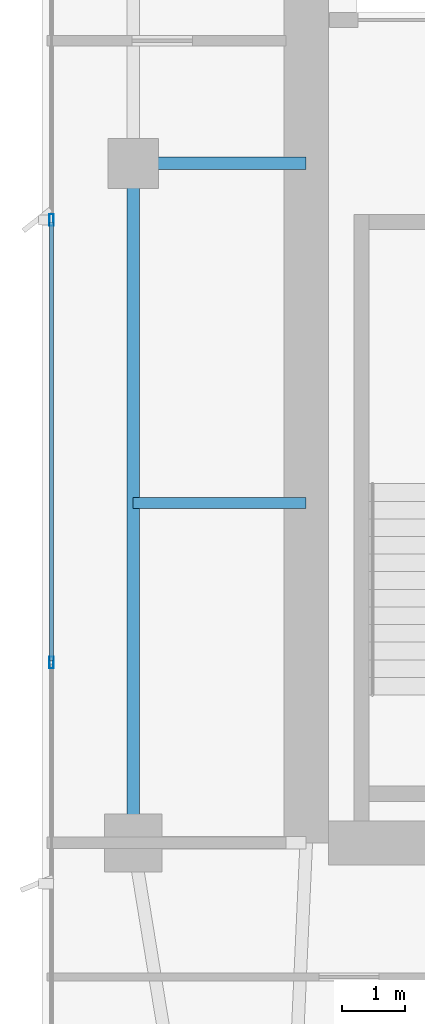
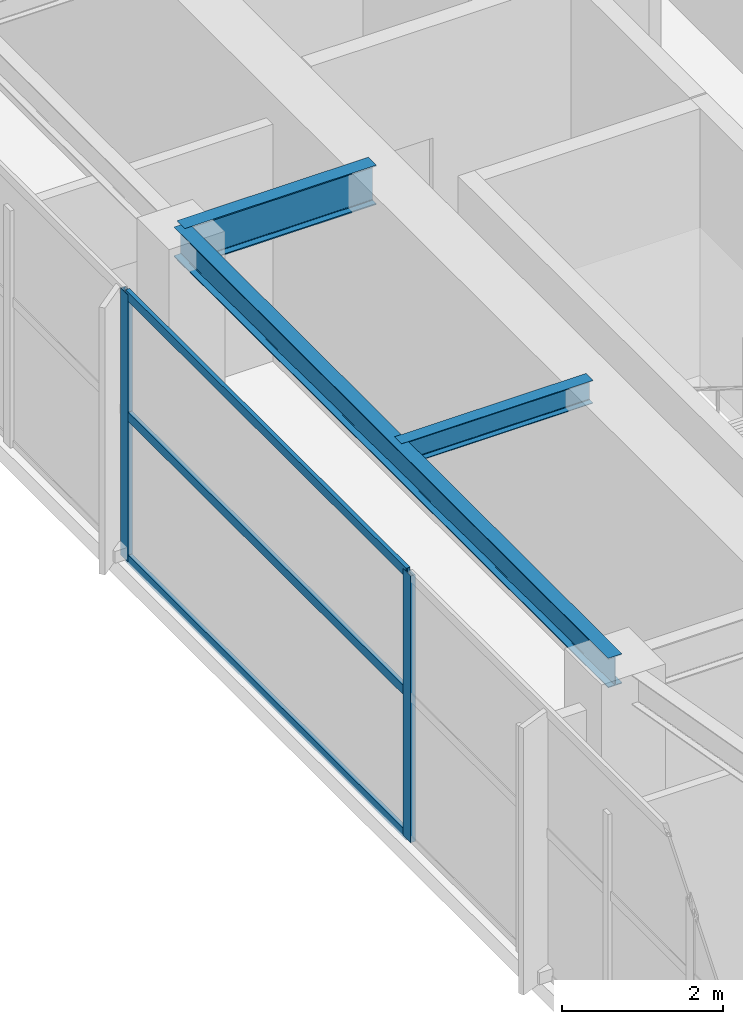
# One storey, part 8 of 29: 5 members, 3 beams, 1 element without a shape of its own.
"""IFC4 building model written with IfcOpenShell, lengths in metres."""

from ifc_helpers import new_model, si_unit, direction, frame, origin, origin_2d, place, context, subcontext, project, spatial, hollow_rectangle, i_section, extrude, material, layer, layer_set, material_profile, profile_set, type_object, element, aggregate, save


model = new_model("IFC4")

# Units and contexts
model_context = context("Model", 3, precision=1e-05, world=origin(), true_north=direction((0.0, 1.0)))
body_context = subcontext(model_context, "Body", "Model", "MODEL_VIEW")
ifc_project = project(units=[si_unit("LENGTHUNIT", "METRE"), si_unit("AREAUNIT", "SQUARE_METRE"), si_unit("VOLUMEUNIT", "CUBIC_METRE"), si_unit("PLANEANGLEUNIT", "RADIAN"), si_unit("MASSUNIT", "GRAM", prefix="KILO")], contexts=[model_context])

# Site, building, storey
site_placement = place(None, origin())
site = spatial("IfcSite", under=ifc_project, at=site_placement, CompositionType="ELEMENT")
building_placement = place(site_placement, origin())
building = spatial("IfcBuilding", under=site, at=building_placement, Name="Calvorn Quay Hotel", CompositionType="ELEMENT")
storey_placement = place(building_placement, frame((0.0, 0.0, 214.800048828125)))
storey = spatial("IfcBuildingStorey", under=building, at=storey_placement, Name="L53", CompositionType="ELEMENT", Elevation=214.800048828125)

# Beams
ifc_material_1 = material(Name="Steel Q355B", Category="steel")
ifc_material_profile_1 = material_profile(ifc_material_1, i_section(OverallWidth=0.199951171875, OverallDepth=0.60009765625, WebThickness=0.010986328125, FlangeThickness=0.01708984375, FilletRadius=0.01806640625, at=origin_2d()), Name="HN600x200x11x17")
ifc_profile_set_1 = profile_set([ifc_material_profile_1], Name="Steel Q355B")
beam_type_1 = type_object("IfcBeamType", Name="BM-GIRD-TYP", PredefinedType="BEAM", material=ifc_profile_set_1)
beam_1_placement = place(storey_placement, frame((1.449951171875, 27.60009765625, 3.75), z_axis=(1.0, 0.0, 0.0), x_axis=(0.0, 1.0, 0.0)))
element("IfcBeam", 1, at=beam_1_placement, inside=storey, type_object=beam_type_1, Name="Beam BG-L53-W2", PredefinedType="BEAM", context=body_context, shape_type="SweptSolid", body=[
    extrude(i_section(OverallWidth=0.199951171875, OverallDepth=0.60009765625, WebThickness=0.010986328125, FlangeThickness=0.01708984375, FilletRadius=0.01806640625, at=origin_2d()), origin(), (0.0, 0.0, 1.0), 2.75),
])
ifc_material_2 = material(Name="Steel Q355B", Category="steel")
ifc_material_profile_2 = material_profile(ifc_material_2, i_section(OverallWidth=0.175048828125, OverallDepth=0.35009765625, WebThickness=0.007080078125, FlangeThickness=0.010986328125, FilletRadius=0.013916015625, at=origin_2d()), Name="HN350x175x7x11")
ifc_profile_set_2 = profile_set([ifc_material_profile_2], Name="Steel Q355B")
beam_type_2 = type_object("IfcBeamType", Name="BM-JOIST-SEC", PredefinedType="JOIST", material=ifc_profile_set_2)
beam_2_placement = place(storey_placement, frame((1.449951171875, 22.199951171875, 3.875), z_axis=(1.0, 0.0, 0.0), x_axis=(0.0, 1.0, 0.0)))
element("IfcBeam", 2, at=beam_2_placement, inside=storey, type_object=beam_type_2, Name="Beam BJ-L53-W3", PredefinedType="JOIST", context=body_context, shape_type="SweptSolid", body=[
    extrude(i_section(OverallWidth=0.175048828125, OverallDepth=0.35009765625, WebThickness=0.007080078125, FlangeThickness=0.010986328125, FilletRadius=0.013916015625, at=origin_2d()), origin(), (0.0, 0.0, 1.0), 2.75),
])
ifc_material_3 = material(Name="Steel Q355B", Category="steel")
ifc_material_profile_3 = material_profile(ifc_material_3, i_section(OverallWidth=0.199951171875, OverallDepth=0.449951171875, WebThickness=0.009033203125, FlangeThickness=0.013916015625, FilletRadius=0.01611328125, at=origin_2d()), Name="HN450x200x9x14")
ifc_profile_set_3 = profile_set([ifc_material_profile_3], Name="Steel Q355B")
beam_type_3 = type_object("IfcBeamType", Name="BM-SPANDREL-Z3", PredefinedType="SPANDREL", material=ifc_profile_set_3)
beam_3_placement = place(storey_placement, frame((1.449951171875, 16.800048828125, 3.824951171875), z_axis=(0.0, 1.0, 0.0), x_axis=(-1.0, 0.0, 0.0)))
element("IfcBeam", 3, at=beam_3_placement, inside=storey, type_object=beam_type_3, Name="Beam BSP-L53-W2", PredefinedType="SPANDREL", context=body_context, shape_type="SweptSolid", body=[
    extrude(i_section(OverallWidth=0.199951171875, OverallDepth=0.449951171875, WebThickness=0.009033203125, FlangeThickness=0.013916015625, FilletRadius=0.01611328125, at=origin_2d()), origin(), (0.0, 0.0, 1.0), 10.800048828125),
])

# Curtain wall, members
ifc_material_4 = material(Name="Champagne Bronze Anodised Aluminium and Low-E Glass", Category="aluminium")
ifc_layer = layer(ifc_material_4, 0.219970703125)
ifc_layer_set = layer_set([ifc_layer], Name="CW-SYS-Z3")
curtain_wall_type = type_object("IfcCurtainWallType", Name="CW-SYS-Z3", PredefinedType="NOTDEFINED", material=ifc_layer_set)
curtain_wall_placement = place(storey_placement, origin())
curtain_wall = element("IfcCurtainWall", 4, at=curtain_wall_placement, inside=storey, type_object=curtain_wall_type, Name="Tower West Curtain Wall (L53)", PredefinedType="NOTDEFINED")
ifc_material_5 = material(Name="Champagne Bronze Anodised Aluminium 6063-T6", Category="aluminium")
ifc_material_profile_4 = material_profile(ifc_material_5, hollow_rectangle(XDim=0.068115234375, YDim=0.18505859375, WallThickness=0.00390625, at=origin_2d()), Name="ALU-M185x68x4")
ifc_profile_set_4 = profile_set([ifc_material_profile_4], Name="Champagne Bronze Anodised Aluminium 6063-T6")
member_type_1 = type_object("IfcMemberType", Name="CW-SYS-Z3-MUL", PredefinedType="MULLION", material=ifc_profile_set_4)
member_1_placement = place(storey_placement, frame((0.14990234375, 19.666748046875, 0.0), z_axis=(0.0, 0.0, 1.0), x_axis=(-1.0, 0.0, 0.0)))
member_1 = element("IfcMember", 5, at=member_1_placement, type_object=member_type_1, Name="CW-L53-W mullion 3", PredefinedType="MULLION", context=body_context, shape_type="SweptSolid", body=[
    extrude(hollow_rectangle(XDim=0.068115234375, YDim=0.18505859375, WallThickness=0.00390625, at=origin_2d()), origin(), (0.0, 0.0, 1.0), 4.050048828125),
])
member_2_placement = place(storey_placement, frame((0.14990234375, 26.699951171875, 0.0), z_axis=(0.0, 0.0, 1.0), x_axis=(-1.0, 0.0, 0.0)))
member_2 = element("IfcMember", 6, at=member_2_placement, type_object=member_type_1, Name="CW-L53-W mullion 4", PredefinedType="MULLION", context=body_context, shape_type="SweptSolid", body=[
    extrude(hollow_rectangle(XDim=0.068115234375, YDim=0.18505859375, WallThickness=0.00390625, at=origin_2d()), origin(), (0.0, 0.0, 1.0), 4.050048828125),
])
ifc_material_6 = material(Name="Champagne Bronze Anodised Aluminium 6063-T6", Category="aluminium")
ifc_material_profile_5 = material_profile(ifc_material_6, hollow_rectangle(XDim=0.05810546875, YDim=0.139892578125, WallThickness=0.003173828125, at=origin_2d()), Name="ALU-T140x58x3.2")
ifc_profile_set_5 = profile_set([ifc_material_profile_5], Name="Champagne Bronze Anodised Aluminium 6063-T6")
member_type_2 = type_object("IfcMemberType", Name="CW-SYS-Z3-TRN", PredefinedType="USERDEFINED", material=ifc_profile_set_5)
member_3_placement = place(storey_placement, frame((0.14990234375, 19.69677734375, 0.030029296875), z_axis=(0.0, 1.0, 0.0), x_axis=(-1.0, 0.0, 0.0)))
member_3 = element("IfcMember", 7, at=member_3_placement, type_object=member_type_2, Name="CW-L53-W transom 3.1", ObjectType="TRANSOM", PredefinedType="USERDEFINED", context=body_context, shape_type="SweptSolid", body=[
    extrude(hollow_rectangle(XDim=0.05810546875, YDim=0.139892578125, WallThickness=0.003173828125, at=origin_2d()), origin(), (0.0, 0.0, 1.0), 6.97314453125),
])
member_4_placement = place(storey_placement, frame((0.14990234375, 19.69677734375, 2.199951171875), z_axis=(0.0, 1.0, 0.0), x_axis=(-1.0, 0.0, 0.0)))
member_4 = element("IfcMember", 8, at=member_4_placement, type_object=member_type_2, Name="CW-L53-W transom 3.2", ObjectType="TRANSOM", PredefinedType="USERDEFINED", context=body_context, shape_type="SweptSolid", body=[
    extrude(hollow_rectangle(XDim=0.05810546875, YDim=0.139892578125, WallThickness=0.003173828125, at=origin_2d()), origin(), (0.0, 0.0, 1.0), 6.97314453125),
])
member_5_placement = place(storey_placement, frame((0.14990234375, 19.69677734375, 4.02001953125), z_axis=(0.0, 1.0, 0.0), x_axis=(-1.0, 0.0, 0.0)))
member_5 = element("IfcMember", 9, at=member_5_placement, type_object=member_type_2, Name="CW-L53-W transom 3.3", ObjectType="TRANSOM", PredefinedType="USERDEFINED", context=body_context, shape_type="SweptSolid", body=[
    extrude(hollow_rectangle(XDim=0.05810546875, YDim=0.139892578125, WallThickness=0.003173828125, at=origin_2d()), origin(), (0.0, 0.0, 1.0), 6.97314453125),
])
aggregate(curtain_wall, [member_1, member_2, member_3, member_4, member_5])

save(model, "model.ifc")
